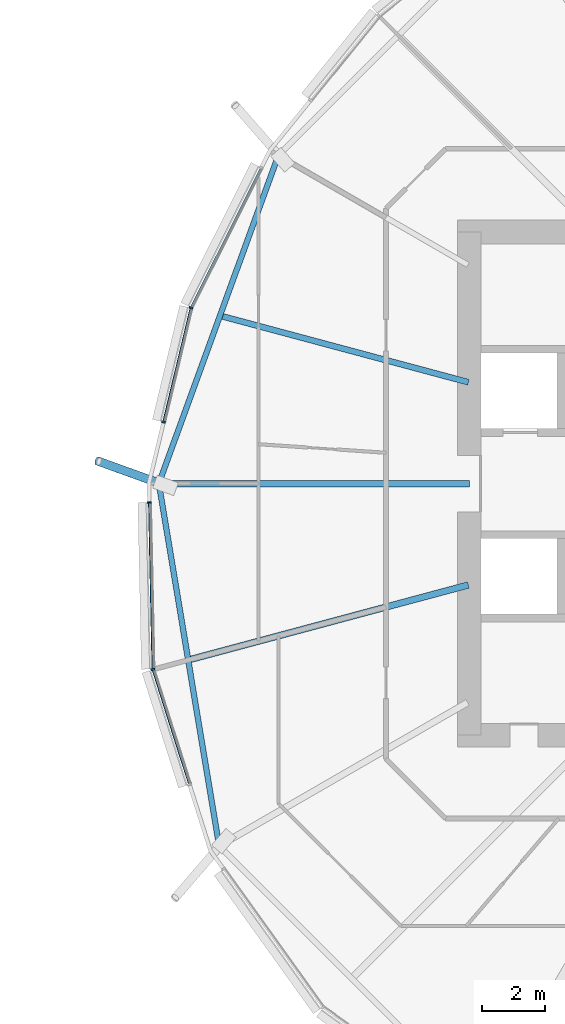
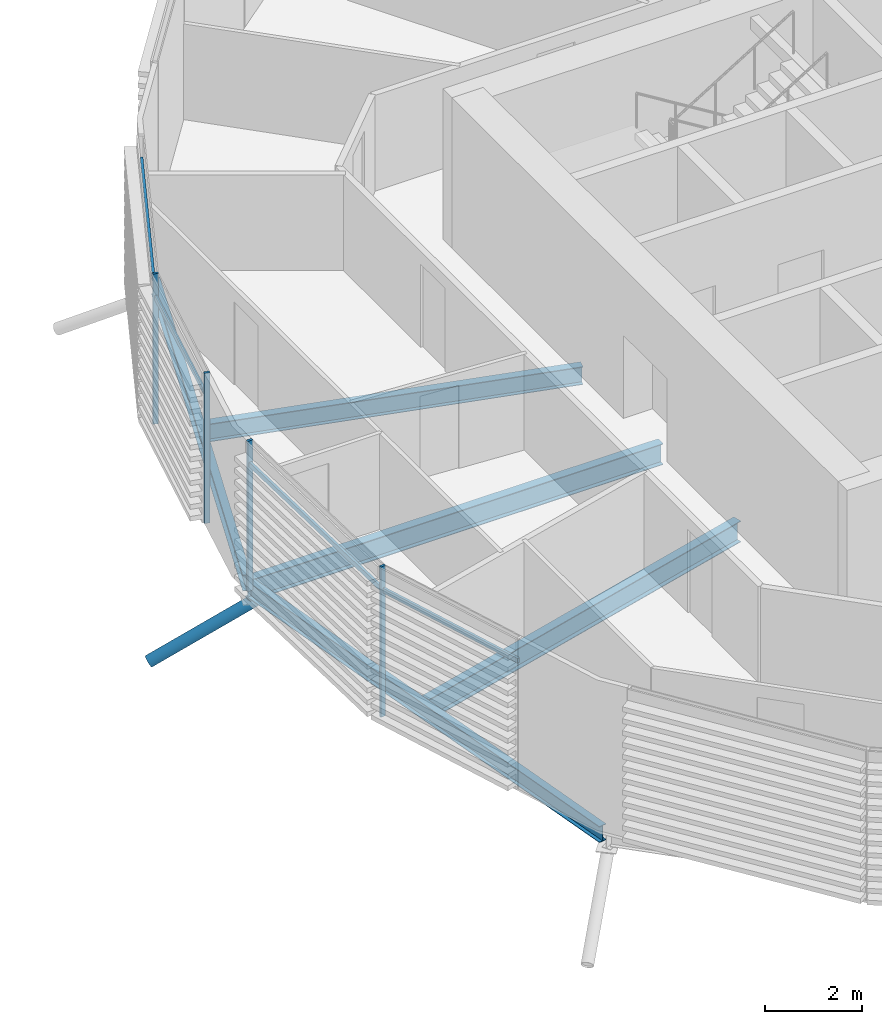
# One storey, part 13 of 39: 9 members, 5 beams, 1 element without a shape of its own.
"""IFC4 building model written with IfcOpenShell, lengths in metres."""

from ifc_helpers import new_model, si_unit, direction, frame, origin, origin_2d, place, context, subcontext, project, spatial, rectangle, hollow_circle, i_section, extrude, clip, halfspace, material, material_profile, profile_set, type_object, element, aggregate, save


model = new_model("IFC4")

# Units and contexts
model_context = context("Model", 3, precision=1e-05, world=origin(), true_north=direction((0.0, 1.0)))
body_context = subcontext(model_context, "Body", "Model", "MODEL_VIEW")
ifc_project = project(units=[si_unit("LENGTHUNIT", "METRE"), si_unit("AREAUNIT", "SQUARE_METRE"), si_unit("VOLUMEUNIT", "CUBIC_METRE"), si_unit("PLANEANGLEUNIT", "RADIAN"), si_unit("MASSUNIT", "GRAM", prefix="KILO")], contexts=[model_context])

# Site, building, storey
site_placement = place(None, origin())
site = spatial("IfcSite", under=ifc_project, at=site_placement, CompositionType="ELEMENT")
building_placement = place(site_placement, origin())
building = spatial("IfcBuilding", under=site, at=building_placement, Name="Rimbun Link Towers", CompositionType="ELEMENT")
storey_placement = place(building_placement, frame((0.0, 0.0, 96.800048828125)))
storey = spatial("IfcBuildingStorey", under=building, at=storey_placement, Name="L23", CompositionType="ELEMENT", Elevation=96.800048828125)

# Curtain wall, members
ifc_material_1 = material(Name="Aluminium 6063-T6 and low-iron glass", Category="aluminium")
curtain_wall_type = type_object("IfcCurtainWallType", Name="CW1-Z2 unitised vision wall (zone 2)", PredefinedType="NOTDEFINED", material=ifc_material_1)
curtain_wall_placement = place(storey_placement, origin())
curtain_wall = element("IfcCurtainWall", 1, at=curtain_wall_placement, inside=storey, type_object=curtain_wall_type, Name="CW1 L23 T2", PredefinedType="NOTDEFINED")
ifc_material_2 = material(Name="Aluminium 6063-T6", Category="aluminium")
ifc_material_profile_1 = material_profile(ifc_material_2, rectangle(XDim=0.1201171875, YDim=0.06005859375, at=origin_2d()), Name="MULLION 60X120")
ifc_profile_set_1 = profile_set([ifc_material_profile_1], Name="Aluminium 6063-T6")
member_type_1 = type_object("IfcMemberType", Name="CW1 mullion 60X120", PredefinedType="MULLION", material=ifc_profile_set_1)
member_1_placement = place(storey_placement, frame((10.8974609375, 5.593017578125, 0.0), z_axis=(0.0, 0.0, 1.0), x_axis=(-0.939346368321, 0.34296997, 0.0)))
member_1 = element("IfcMember", 2, at=member_1_placement, type_object=member_type_1, Name="CW1 mullion", PredefinedType="MULLION", context=body_context, shape_type="SweptSolid", body=[
    extrude(rectangle(XDim=0.1201171875, YDim=0.06005859375, at=origin_2d()), origin(), (0.0, 0.0, 1.0), 3.800048828125),
])
member_2_placement = place(storey_placement, frame((10.02783203125, 1.958984375, 0.0), z_axis=(0.0, 0.0, 1.0), x_axis=(-0.972572197016, 0.232601207201, 0.0)))
member_2 = element("IfcMember", 3, at=member_2_placement, type_object=member_type_1, Name="CW1 mullion", PredefinedType="MULLION", context=body_context, shape_type="SweptSolid", body=[
    extrude(rectangle(XDim=0.1201171875, YDim=0.06005859375, at=origin_2d()), origin(), (0.0, 0.0, 1.0), 3.800048828125),
])
member_3_placement = place(storey_placement, frame((9.68603515625, -5.906005859375, 0.0), z_axis=(0.0, 0.0, 1.0), x_axis=(-0.986502827503, -0.16374422533, 0.0)))
member_3 = element("IfcMember", 4, at=member_3_placement, type_object=member_type_1, Name="CW1 mullion", PredefinedType="MULLION", context=body_context, shape_type="SweptSolid", body=[
    extrude(rectangle(XDim=0.1201171875, YDim=0.06005859375, at=origin_2d()), origin(), (0.0, 0.0, 1.0), 3.800048828125),
])
member_4_placement = place(storey_placement, frame((9.57373046875, -0.60107421875, 0.0), z_axis=(0.0, 0.0, 1.0), x_axis=(-0.999778219026, -0.021059742681, 0.0)))
member_4 = element("IfcMember", 5, at=member_4_placement, type_object=member_type_1, Name="CW1 mullion", PredefinedType="MULLION", context=body_context, shape_type="SweptSolid", body=[
    extrude(rectangle(XDim=0.1201171875, YDim=0.06005859375, at=origin_2d()), origin(), (0.0, 0.0, 1.0), 3.800048828125),
])
ifc_material_3 = material(Name="Aluminium 6063-T6", Category="aluminium")
ifc_material_profile_2 = material_profile(ifc_material_3, rectangle(XDim=0.06005859375, YDim=0.1201171875, at=origin_2d()), Name="TRANSOM 60X120")
ifc_profile_set_2 = profile_set([ifc_material_profile_2], Name="Aluminium 6063-T6")
member_type_2 = type_object("IfcMemberType", Name="CW1 transom 60X120", PredefinedType="USERDEFINED", material=ifc_profile_set_2)
member_5_placement = place(storey_placement, frame((10.915283203125, 5.625244140625, 3.199951171875), z_axis=(0.448780440695, 0.893642051411, 0.0), x_axis=(-0.893642051411, 0.448780440695, 0.0)))
member_5 = element("IfcMember", 6, at=member_5_placement, type_object=member_type_2, Name="CW1 transom", ObjectType="TRANSOM", PredefinedType="USERDEFINED", context=body_context, shape_type="SweptSolid", body=[
    extrude(rectangle(XDim=0.06005859375, YDim=0.1201171875, at=origin_2d()), origin(), (0.0, 0.0, 1.0), 4.921630859375),
])
member_6_placement = place(storey_placement, frame((10.036865234375, 1.98779296875, 3.199951171875), z_axis=(0.232597839415, 0.972573002452, 0.0), x_axis=(-0.972573002452, 0.232597839415, 0.0)))
member_6 = element("IfcMember", 7, at=member_6_placement, type_object=member_type_2, Name="CW1 transom", ObjectType="TRANSOM", PredefinedType="USERDEFINED", context=body_context, shape_type="SweptSolid", body=[
    extrude(rectangle(XDim=0.06005859375, YDim=0.1201171875, at=origin_2d()), origin(), (0.0, 0.0, 1.0), 3.66943359375),
])
member_7_placement = place(storey_placement, frame((9.6865234375, -5.867431640625, 3.199951171875), z_axis=(-0.021069547819, 0.999778012438, 0.0), x_axis=(-0.999778012438, -0.021069547819, 0.0)))
member_7 = element("IfcMember", 8, at=member_7_placement, type_object=member_type_2, Name="CW1 transom", ObjectType="TRANSOM", PredefinedType="USERDEFINED", context=body_context, shape_type="SweptSolid", body=[
    extrude(rectangle(XDim=0.06005859375, YDim=0.1201171875, at=origin_2d()), origin(), (0.0, 0.0, 1.0), 5.237548828125),
])
member_8_placement = place(storey_placement, frame((10.843505859375, -9.540771484375, 3.199951171875), z_axis=(-0.303104913501, 0.952957192854, 0.0), x_axis=(-0.952957192854, -0.303104913501, 0.0)))
member_8 = element("IfcMember", 9, at=member_8_placement, type_object=member_type_2, Name="CW1 transom", ObjectType="TRANSOM", PredefinedType="USERDEFINED", context=body_context, shape_type="SweptSolid", body=[
    extrude(rectangle(XDim=0.06005859375, YDim=0.1201171875, at=origin_2d()), origin(), (0.0, 0.0, 1.0), 3.776123046875),
])
aggregate(curtain_wall, [member_1, member_2, member_3, member_4, member_5, member_6, member_7, member_8])

# Member
ifc_material_4 = material(Name="Steel S355J2H", Category="steel")
ifc_material_profile_3 = material_profile(ifc_material_4, hollow_circle(Radius=0.136474609375, WallThickness=0.012451171875, at=origin_2d()), Name="CHS 273x12.5")
ifc_profile_set_3 = profile_set([ifc_material_profile_3], Name="Steel S355J2H")
member_type_3 = type_object("IfcMemberType", Name="Floor edge link CHS 273x12.5", PredefinedType="BRACE", material=ifc_profile_set_3)
member_9_placement = place(storey_placement, frame((9.927978515625, 0.0, -0.811279296875), z_axis=(-0.817341139667, 0.294700481521, -0.495080889955), x_axis=(-0.339185748441, -0.940719420473, 0.0)))
element("IfcMember", 10, at=member_9_placement, inside=storey, type_object=member_type_3, Name="Floor edge link T2 L23 09", PredefinedType="BRACE", context=body_context, shape_type="Clipping", body=[
    clip(extrude(hollow_circle(Radius=0.136474609375, WallThickness=0.012451171875, at=origin_2d()), frame((0.0, 0.0, -0.499267578125)), (0.0, 0.0, 1.0), 2.953125), halfspace(frame((0.0, 0.0, -0.234619140625), z_axis=(0.0, 0.868846886627, -0.495080889955)), False)),
])

# Beams
ifc_material_5 = material(Name="Steel S355J2", Category="steel")
ifc_material_profile_4 = material_profile(ifc_material_5, i_section(OverallWidth=0.177978515625, OverallDepth=0.406494140625, WebThickness=0.0078125, FlangeThickness=0.0126953125, at=origin_2d()), Name="UB 406x178x60")
ifc_profile_set_4 = profile_set([ifc_material_profile_4], Name="Steel S355J2")
beam_type_1 = type_object("IfcBeamType", Name="UB 406x178x60", PredefinedType="BEAM", material=ifc_profile_set_4)
beam_1_placement = place(storey_placement, frame((13.647705078125, 10.351318359375, -0.36328125), z_axis=(-0.342190666509, -0.9396305379, 0.0), x_axis=(0.9396305379, -0.342190666509, 0.0)))
element("IfcBeam", 11, at=beam_1_placement, inside=storey, type_object=beam_type_1, Name="Edge beam T2 L23 07-09", PredefinedType="BEAM", context=body_context, shape_type="SweptSolid", body=[
    extrude(i_section(OverallWidth=0.177978515625, OverallDepth=0.406494140625, WebThickness=0.0078125, FlangeThickness=0.0126953125, at=origin_2d()), origin(), (0.0, 0.0, 1.0), 10.90380859375),
])
beam_2_placement = place(storey_placement, frame((9.8955078125, -0.105712890625, -0.36328125), z_axis=(0.164243513251, -0.986419823582, 0.0), x_axis=(0.986419823582, 0.164243513251, 0.0)))
element("IfcBeam", 12, at=beam_2_placement, inside=storey, type_object=beam_type_1, Name="Edge beam T2 L23 09-11", PredefinedType="BEAM", context=body_context, shape_type="SweptSolid", body=[
    extrude(i_section(OverallWidth=0.177978515625, OverallDepth=0.406494140625, WebThickness=0.0078125, FlangeThickness=0.0126953125, at=origin_2d()), origin(), (0.0, 0.0, 1.0), 11.458984375),
])
ifc_material_6 = material(Name="Steel S355J2", Category="steel")
ifc_material_profile_5 = material_profile(ifc_material_6, i_section(OverallWidth=0.18994140625, OverallDepth=0.453369140625, WebThickness=0.008544921875, FlangeThickness=0.0126953125, at=origin_2d()), Name="UB 457x191x67")
ifc_profile_set_5 = profile_set([ifc_material_profile_5], Name="Steel S355J2")
beam_type_2 = type_object("IfcBeamType", Name="UB 457x191x67", PredefinedType="BEAM", material=ifc_profile_set_5)
beam_3_placement = place(storey_placement, frame((19.724609375, 3.22216796875, -0.38671875), z_axis=(-0.96592420956, 0.25882507874, 0.0), x_axis=(-0.25882507874, -0.96592420956, 0.0)))
element("IfcBeam", 13, at=beam_3_placement, inside=storey, type_object=beam_type_2, Name="Radial beam T2 L23 08", PredefinedType="BEAM", context=body_context, shape_type="SweptSolid", body=[
    extrude(i_section(OverallWidth=0.18994140625, OverallDepth=0.453369140625, WebThickness=0.008544921875, FlangeThickness=0.0126953125, at=origin_2d()), origin(), (0.0, 0.0, 1.0), 8.09033203125),
])
ifc_material_7 = material(Name="Steel S355J2", Category="steel")
ifc_material_profile_6 = material_profile(ifc_material_7, i_section(OverallWidth=0.209228515625, OverallDepth=0.533203125, WebThickness=0.010009765625, FlangeThickness=0.015625, at=origin_2d()), Name="UB 533x210x92")
ifc_profile_set_6 = profile_set([ifc_material_profile_6], Name="Steel S355J2")
beam_type_3 = type_object("IfcBeamType", Name="UB 533x210x92", PredefinedType="BEAM", material=ifc_profile_set_6)
beam_4_placement = place(storey_placement, frame((19.7490234375, 0.0, -0.426513671875), z_axis=(-1.0, 0.0, 0.0), x_axis=(0.0, -1.0, 0.0)))
element("IfcBeam", 14, at=beam_4_placement, inside=storey, type_object=beam_type_3, Name="Radial beam T2 L23 09", PredefinedType="BEAM", context=body_context, shape_type="SweptSolid", body=[
    extrude(i_section(OverallWidth=0.209228515625, OverallDepth=0.533203125, WebThickness=0.010009765625, FlangeThickness=0.015625, at=origin_2d()), origin(), (0.0, 0.0, 1.0), 9.870849609375),
])
beam_5_placement = place(storey_placement, frame((19.721923828125, -3.222900390625, -0.426513671875), z_axis=(-0.965925024177, -0.258822038606, 0.0), x_axis=(0.258822038606, -0.965925024177, 0.0)))
element("IfcBeam", 15, at=beam_5_placement, inside=storey, type_object=beam_type_3, Name="Radial beam T2 L23 10", PredefinedType="BEAM", context=body_context, shape_type="SweptSolid", body=[
    extrude(i_section(OverallWidth=0.209228515625, OverallDepth=0.533203125, WebThickness=0.010009765625, FlangeThickness=0.015625, at=origin_2d()), origin(), (0.0, 0.0, 1.0), 9.1337890625),
])

save(model, "model.ifc")
